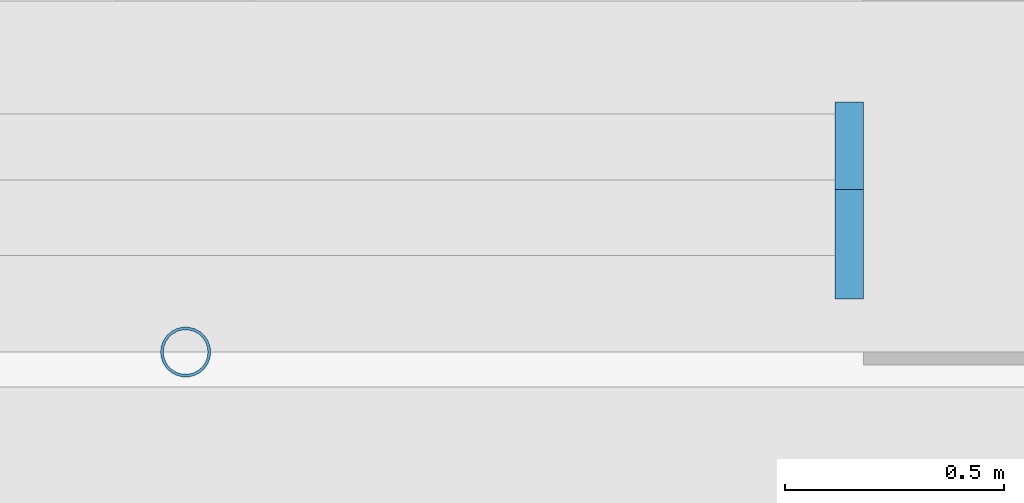
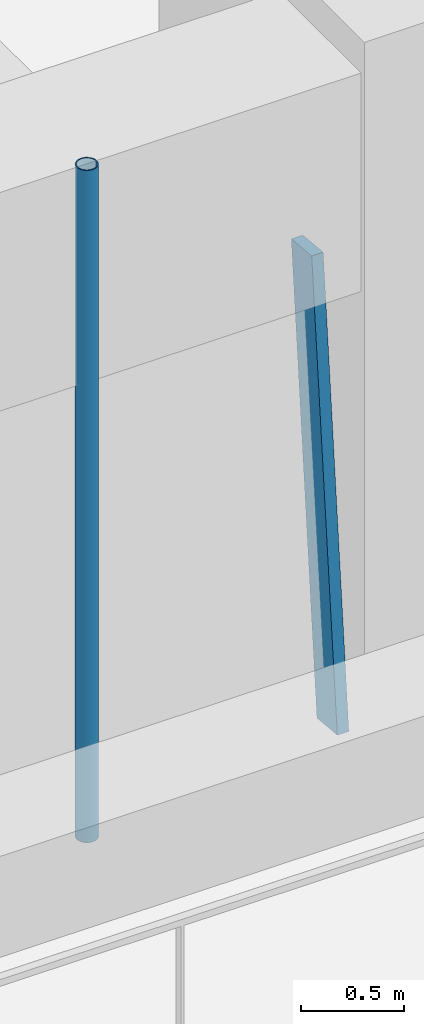
# One storey, part 4 of 23: 2 members, 1 element without a shape of its own.
"""IFC4 building model written with IfcOpenShell, lengths in metres."""

from ifc_helpers import new_model, si_unit, direction, frame, origin, origin_2d, place, context, subcontext, project, spatial, rectangle, hollow_circle, extrude, material, material_profile, profile_set, type_object, element, aggregate, save


model = new_model("IFC4")

# Units and contexts
model_context = context("Model", 3, precision=1e-05, world=origin(), true_north=direction((0.0, 1.0)))
body_context = subcontext(model_context, "Body", "Model", "MODEL_VIEW")
ifc_project = project(units=[si_unit("LENGTHUNIT", "METRE"), si_unit("AREAUNIT", "SQUARE_METRE"), si_unit("VOLUMEUNIT", "CUBIC_METRE"), si_unit("PLANEANGLEUNIT", "RADIAN"), si_unit("MASSUNIT", "GRAM", prefix="KILO")], contexts=[model_context])

# Site, building, storey
site_placement = place(None, origin())
site = spatial("IfcSite", under=ifc_project, at=site_placement, CompositionType="ELEMENT")
building_placement = place(site_placement, origin())
building = spatial("IfcBuilding", under=site, at=building_placement, Name="Tarfa Lantern Tower", CompositionType="ELEMENT")
storey_placement = place(building_placement, frame((0.0, 0.0, 36.10009765625)))
storey = spatial("IfcBuildingStorey", under=building, at=storey_placement, Name="L07", CompositionType="ELEMENT", Elevation=36.10009765625)

# Curtain wall, member
ifc_material_1 = material(Name="Aluminium framed curtain wall", Category="aluminium")
curtain_wall_type = type_object("IfcCurtainWallType", Name="CW1 CANTED GLAZING LOW ZONE 2700", PredefinedType="USERDEFINED", material=ifc_material_1)
curtain_wall_placement = place(storey_placement, origin())
curtain_wall = element("IfcCurtainWall", 1, at=curtain_wall_placement, inside=storey, type_object=curtain_wall_type, Name="CW1 S L07", ObjectType="CURTAIN WALL", PredefinedType="USERDEFINED")
ifc_material_2 = material(Name="Aluminium mullion", Category="aluminium")
ifc_material_profile_1 = material_profile(ifc_material_2, rectangle(XDim=0.06494140625, YDim=0.199951171875, at=origin_2d()), Name="AL MULLION 65x200")
ifc_profile_set_1 = profile_set([ifc_material_profile_1], Name="Aluminium mullion")
member_type_1 = type_object("IfcMemberType", Name="CWM1 MULLION 65x200", PredefinedType="MULLION", material=ifc_profile_set_1)
member_1_placement = place(storey_placement, frame((9.5947265625, -33.89990234375, 0.0), z_axis=(0.0, 0.092199863775, 0.995740520979), x_axis=(-1.0, 0.0, 0.0)))
member_1 = element("IfcMember", 2, at=member_1_placement, type_object=member_type_1, Name="CW1 mullion 2", PredefinedType="MULLION", context=body_context, shape_type="SweptSolid", body=[
    extrude(rectangle(XDim=0.06494140625, YDim=0.199951171875, at=origin_2d()), origin(), (0.0, 0.0, 1.0), 2.71142578125),
])
aggregate(curtain_wall, [member_1])

# Member
ifc_material_3 = material(Name="Steel S355", Category="steel")
ifc_material_profile_2 = material_profile(ifc_material_3, hollow_circle(Radius=0.05712890625, WallThickness=0.00634765625, at=origin_2d()), Name="CHS114.3x6.3")
ifc_profile_set_2 = profile_set([ifc_material_profile_2], Name="Steel S355")
member_type_2 = type_object("IfcMemberType", Name="TR1 GREEN WALL TRELLIS CHS114.3x6.3", PredefinedType="USERDEFINED", material=ifc_profile_set_2)
member_2_placement = place(storey_placement, frame((8.0830078125, -34.1201171875, 0.0), z_axis=(0.0, 0.0, 1.0), x_axis=(1.0, 0.0, 0.0)))
element("IfcMember", 3, at=member_2_placement, inside=storey, type_object=member_type_2, Name="Trellis post S 2", ObjectType="TRELLIS", PredefinedType="USERDEFINED", context=body_context, shape_type="SweptSolid", body=[
    extrude(hollow_circle(Radius=0.05712890625, WallThickness=0.00634765625, at=origin_2d()), origin(), (0.0, 0.0, 1.0), 4.0),
])

save(model, "model.ifc")
